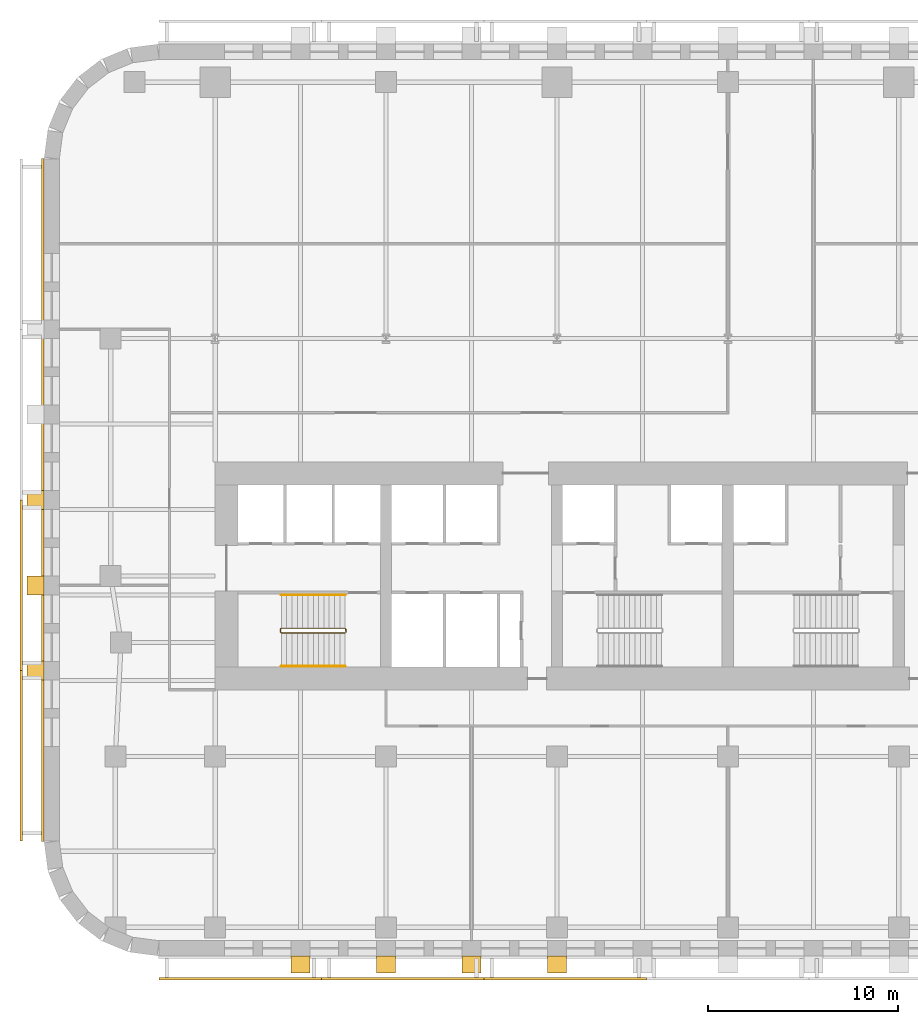
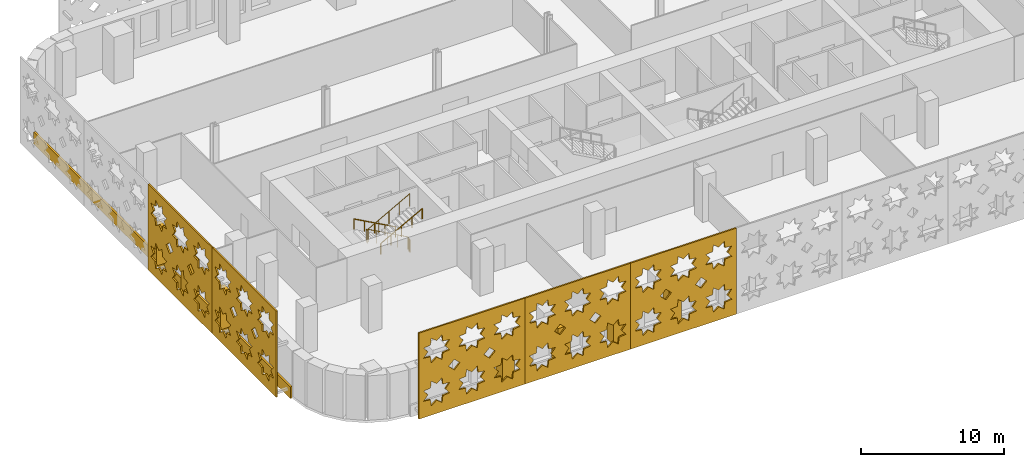
# One storey, part 11 of 15: 13 coverings, 3 railings.
"""IFC4 building model written with IfcOpenShell, lengths in metres."""

from ifc_helpers import new_model, si_unit, direction, frame, origin, origin_2d, place, context, subcontext, project, spatial, polyline, circle, outline, extrude, material, layer, layer_set, type_object, element, save


model = new_model("IFC4")

# Units and contexts
model_context = context("Model", 3, precision=1e-05, world=origin(), true_north=direction((0.0, 1.0)))
body_context = subcontext(model_context, "Body", "Model", "MODEL_VIEW")
ifc_project = project(units=[si_unit("LENGTHUNIT", "METRE"), si_unit("AREAUNIT", "SQUARE_METRE"), si_unit("VOLUMEUNIT", "CUBIC_METRE"), si_unit("PLANEANGLEUNIT", "RADIAN"), si_unit("MASSUNIT", "GRAM", prefix="KILO")], contexts=[model_context])

# Site, building, storey
site_placement = place(None, origin())
site = spatial("IfcSite", under=ifc_project, at=site_placement, CompositionType="ELEMENT")
building_placement = place(site_placement, origin())
building = spatial("IfcBuilding", under=site, at=building_placement, Name="Zellij Exchange Tower", CompositionType="ELEMENT")
storey_placement = place(building_placement, frame((0.0, 0.0, 84.5)))
storey = spatial("IfcBuildingStorey", under=building, at=storey_placement, Name="L17", CompositionType="ELEMENT", Elevation=84.5)

# Railings
ifc_material_1 = material(Name="Stainless steel", Category="steel")
railing_type_1 = type_object("IfcRailingType", Name="CORE-RG stair guard", PredefinedType="GUARDRAIL", material=ifc_material_1)
railing_1_placement = place(storey_placement, frame((-20.10009765625, -10.800048828125, 0.0)))
element("IfcRailing", 1, at=railing_1_placement, inside=storey, type_object=railing_type_1, Name="ST1 stair guard L17", PredefinedType="GUARDRAIL", context=body_context, shape_type="SweptSolid", body=[
    extrude(circle(Radius=0.02392578125, at=origin_2d()), frame((0.0, 0.0, 1.076171875), z_axis=(0.0, -1.0, 0.0), x_axis=(1.0, 0.0, 0.0)), (0.0, 0.0, 1.0), 0.14990234375),
    extrude(circle(Radius=0.02392578125, at=origin_2d()), frame((0.0, -0.14990234375, 1.076171875), z_axis=(-0.193691321961, 0.777613689637, 0.598164376644), x_axis=(-0.970351222016, -0.241699205484, 0.0)), (0.0, 0.0, 1.0), 0.257080078125),
    extrude(circle(Radius=0.02392578125, at=origin_2d()), frame((-0.0498046875, 0.050048828125, 1.22998046875), z_axis=(-0.876421534553, 0.0, 0.481544695509), x_axis=(0.0, -1.0, 0.0)), (0.0, 0.0, 1.0), 3.833984375),
    extrude(circle(Radius=0.02392578125, at=origin_2d()), frame((-3.409912109375, 0.050048828125, 3.076171875), z_axis=(-0.707106781187, -0.707106781187, 0.0), x_axis=(0.707106781187, -0.707106781187, 0.0)), (0.0, 0.0, 1.0), 0.07080078125),
    extrude(circle(Radius=0.02392578125, at=origin_2d()), frame((-3.4599609375, 0.0, 3.076171875), z_axis=(0.0, -1.0, 0.0), x_axis=(1.0, 0.0, 0.0)), (0.0, 0.0, 1.0), 0.14990234375),
    extrude(circle(Radius=0.02392578125, at=origin_2d()), frame((-3.4599609375, -0.14990234375, 3.076171875), z_axis=(0.295599637079, -0.295599637079, 0.908428152975), x_axis=(0.707106781187, 0.707106781187, 0.0)), (0.0, 0.0, 1.0), 0.16943359375),
    extrude(circle(Radius=0.02392578125, at=origin_2d()), frame((-3.409912109375, -0.199951171875, 3.22998046875), z_axis=(0.876421534553, 0.0, 0.481544695509), x_axis=(0.0, 1.0, 0.0)), (0.0, 0.0, 1.0), 3.833984375),
    extrude(circle(Radius=0.02099609375, at=origin_2d()), origin(), (0.0, 0.0, 1.0), 1.052001953125),
    extrude(circle(Radius=0.02099609375, at=origin_2d()), frame((0.0, -0.14990234375, 0.0)), (0.0, 0.0, 1.0), 1.052001953125),
    extrude(circle(Radius=0.02099609375, at=origin_2d()), frame((-0.0498046875, 0.050048828125, 0.15380859375)), (0.0, 0.0, 1.0), 1.052001953125),
    extrude(circle(Radius=0.02099609375, at=origin_2d()), frame((-0.889892578125, 0.050048828125, 0.615234375)), (0.0, 0.0, 1.0), 1.052001953125),
    extrude(circle(Radius=0.02099609375, at=origin_2d()), frame((-1.72998046875, 0.050048828125, 1.076904296875)), (0.0, 0.0, 1.0), 1.052001953125),
    extrude(circle(Radius=0.02099609375, at=origin_2d()), frame((-2.56982421875, 0.050048828125, 1.53857421875)), (0.0, 0.0, 1.0), 1.052001953125),
    extrude(circle(Radius=0.02099609375, at=origin_2d()), frame((-3.409912109375, 0.050048828125, 2.0)), (0.0, 0.0, 1.0), 1.052001953125),
    extrude(circle(Radius=0.02099609375, at=origin_2d()), frame((-3.4599609375, 0.0, 2.0)), (0.0, 0.0, 1.0), 1.052001953125),
    extrude(circle(Radius=0.02099609375, at=origin_2d()), frame((-3.4599609375, -0.14990234375, 2.0)), (0.0, 0.0, 1.0), 1.052001953125),
    extrude(circle(Radius=0.02099609375, at=origin_2d()), frame((-3.409912109375, -0.199951171875, 2.15380859375)), (0.0, 0.0, 1.0), 1.052001953125),
    extrude(circle(Radius=0.02099609375, at=origin_2d()), frame((-2.56982421875, -0.199951171875, 2.615234375)), (0.0, 0.0, 1.0), 1.052001953125),
    extrude(circle(Radius=0.02099609375, at=origin_2d()), frame((-1.72998046875, -0.199951171875, 3.076904296875)), (0.0, 0.0, 1.0), 1.052001953125),
    extrude(circle(Radius=0.02099609375, at=origin_2d()), frame((-0.889892578125, -0.199951171875, 3.53857421875)), (0.0, 0.0, 1.0), 1.052001953125),
    extrude(circle(Radius=0.02099609375, at=origin_2d()), frame((-0.0498046875, -0.199951171875, 4.0)), (0.0, 0.0, 1.0), 1.052001953125),
])
railing_type_2 = type_object("IfcRailingType", Name="CORE-RH stair handrail", PredefinedType="HANDRAIL", material=ifc_material_1)
railing_2_placement = place(storey_placement, frame((-20.14990234375, -9.0, 0.15380859375)))
element("IfcRailing", 2, at=railing_2_placement, inside=storey, type_object=railing_type_2, Name="ST1 stair handrail L17", PredefinedType="HANDRAIL", context=body_context, shape_type="SweptSolid", body=[
    extrude(circle(Radius=0.02392578125, at=origin_2d()), frame((0.0, 0.0, 0.8759765625), z_axis=(-0.876421534553, 0.0, 0.481544695509), x_axis=(0.0, -1.0, 0.0)), (0.0, 0.0, 1.0), 3.833984375),
    extrude(circle(Radius=0.02099609375, at=origin_2d()), origin(), (0.0, 0.0, 1.0), 0.851806640625),
    extrude(circle(Radius=0.02099609375, at=origin_2d()), frame((-0.840087890625, 0.0, 0.46142578125)), (0.0, 0.0, 1.0), 0.851806640625),
    extrude(circle(Radius=0.02099609375, at=origin_2d()), frame((-1.68017578125, 0.0, 0.923095703125)), (0.0, 0.0, 1.0), 0.851806640625),
    extrude(circle(Radius=0.02099609375, at=origin_2d()), frame((-2.52001953125, 0.0, 1.384765625)), (0.0, 0.0, 1.0), 0.851806640625),
    extrude(circle(Radius=0.02099609375, at=origin_2d()), frame((-3.360107421875, 0.0, 1.84619140625)), (0.0, 0.0, 1.0), 0.851806640625),
])
railing_3_placement = place(storey_placement, frame((-23.510009765625, -12.75, 2.15380859375)))
element("IfcRailing", 3, at=railing_3_placement, inside=storey, type_object=railing_type_2, Name="ST1 stair handrail L17", PredefinedType="HANDRAIL", context=body_context, shape_type="SweptSolid", body=[
    extrude(circle(Radius=0.02392578125, at=origin_2d()), frame((0.0, 0.0, 0.8759765625), z_axis=(0.876421534553, 0.0, 0.481544695509), x_axis=(0.0, 1.0, 0.0)), (0.0, 0.0, 1.0), 3.833984375),
    extrude(circle(Radius=0.02099609375, at=origin_2d()), origin(), (0.0, 0.0, 1.0), 0.851806640625),
    extrude(circle(Radius=0.02099609375, at=origin_2d()), frame((0.840087890625, 0.0, 0.46142578125)), (0.0, 0.0, 1.0), 0.851806640625),
    extrude(circle(Radius=0.02099609375, at=origin_2d()), frame((1.68017578125, 0.0, 0.923095703125)), (0.0, 0.0, 1.0), 0.851806640625),
    extrude(circle(Radius=0.02099609375, at=origin_2d()), frame((2.52001953125, 0.0, 1.384765625)), (0.0, 0.0, 1.0), 0.851806640625),
    extrude(circle(Radius=0.02099609375, at=origin_2d()), frame((3.360107421875, 0.0, 1.84619140625)), (0.0, 0.0, 1.0), 0.851806640625),
])

# Coverings
ifc_material_2 = material(Name="Limestone cladding", Category="masonry")
ifc_layer_1 = layer(ifc_material_2, 0.14990234375)
ifc_layer_set_1 = layer_set([ifc_layer_1], Name="Limestone cladding")
covering_type_1 = type_object("IfcCoveringType", Name="ENV-CV1 Stone spandrel band 150", PredefinedType="CLADDING", material=ifc_layer_set_1)
covering_1_placement = place(storey_placement, frame((0.0, 0.0, -0.199951171875)))
element("IfcCovering", 4, at=covering_1_placement, inside=storey, type_object=covering_type_1, Name="Stone spandrel band", PredefinedType="CLADDING", context=body_context, shape_type="SweptSolid", body=[
    extrude(outline(polyline([(-36.0, 13.973876953125), (-36.0, -21.973876953125), (-36.14990234375, -21.983642578125), (-36.14990234375, 13.983642578125), (-36.0, 13.973876953125)])), origin(), (0.0, 0.0, 1.0), 1.0),
])
covering_type_2 = type_object("IfcCoveringType", Name="ENV-CV2 Stone pier 1000x900", PredefinedType="CLADDING", material=ifc_material_2)
covering_2_placement = place(storey_placement, frame((0.0, 0.0, 0.800048828125)))
element("IfcCovering", 5, at=covering_2_placement, inside=storey, type_object=covering_type_2, Name="Stone pier", PredefinedType="CLADDING", context=body_context, shape_type="SweptSolid", body=[
    extrude(outline(polyline([(-23.0, -28.0), (-22.0, -28.0), (-22.0, -28.89990234375), (-23.0, -28.89990234375), (-23.0, -28.0)])), origin(), (0.0, 0.0, 1.0), 3.0),
])
covering_3_placement = place(storey_placement, frame((0.0, 0.0, 0.800048828125)))
element("IfcCovering", 6, at=covering_3_placement, inside=storey, type_object=covering_type_2, Name="Stone pier", PredefinedType="CLADDING", context=body_context, shape_type="SweptSolid", body=[
    extrude(outline(polyline([(-18.5, -28.0), (-17.5, -28.0), (-17.5, -28.89990234375), (-18.5, -28.89990234375), (-18.5, -28.0)])), origin(), (0.0, 0.0, 1.0), 3.0),
])
covering_4_placement = place(storey_placement, frame((0.0, 0.0, 0.800048828125)))
element("IfcCovering", 7, at=covering_4_placement, inside=storey, type_object=covering_type_2, Name="Stone pier", PredefinedType="CLADDING", context=body_context, shape_type="SweptSolid", body=[
    extrude(outline(polyline([(-14.0, -28.0), (-13.0, -28.0), (-13.0, -28.89990234375), (-14.0, -28.89990234375), (-14.0, -28.0)])), origin(), (0.0, 0.0, 1.0), 3.0),
])
covering_5_placement = place(storey_placement, frame((0.0, 0.0, 0.800048828125)))
element("IfcCovering", 8, at=covering_5_placement, inside=storey, type_object=covering_type_2, Name="Stone pier", PredefinedType="CLADDING", context=body_context, shape_type="SweptSolid", body=[
    extrude(outline(polyline([(-9.5, -28.0), (-8.5, -28.0), (-8.5, -28.89990234375), (-9.5, -28.89990234375), (-9.5, -28.0)])), origin(), (0.0, 0.0, 1.0), 3.0),
])
covering_6_placement = place(storey_placement, frame((0.0, 0.0, 0.800048828125)))
element("IfcCovering", 9, at=covering_6_placement, inside=storey, type_object=covering_type_2, Name="Stone pier", PredefinedType="CLADDING", context=body_context, shape_type="SweptSolid", body=[
    extrude(outline(polyline([(-36.0, -3.5), (-36.0, -4.5), (-36.89990234375, -4.5), (-36.89990234375, -3.5), (-36.0, -3.5)])), origin(), (0.0, 0.0, 1.0), 3.0),
])
covering_7_placement = place(storey_placement, frame((0.0, 0.0, 0.800048828125)))
element("IfcCovering", 10, at=covering_7_placement, inside=storey, type_object=covering_type_2, Name="Stone pier", PredefinedType="CLADDING", context=body_context, shape_type="SweptSolid", body=[
    extrude(outline(polyline([(-36.0, -7.993408203125), (-36.0, -8.993408203125), (-36.89990234375, -8.993408203125), (-36.89990234375, -7.993408203125), (-36.0, -7.993408203125)])), origin(), (0.0, 0.0, 1.0), 3.0),
])
covering_8_placement = place(storey_placement, frame((0.0, 0.0, 0.800048828125)))
element("IfcCovering", 11, at=covering_8_placement, inside=storey, type_object=covering_type_2, Name="Stone pier", PredefinedType="CLADDING", context=body_context, shape_type="SweptSolid", body=[
    extrude(outline(polyline([(-36.0, -12.48681640625), (-36.0, -13.48681640625), (-36.89990234375, -13.48681640625), (-36.89990234375, -12.48681640625), (-36.0, -12.48681640625)])), origin(), (0.0, 0.0, 1.0), 3.0),
])
ifc_material_3 = material(Name="Limestone screen", Category="masonry")
ifc_layer_2 = layer(ifc_material_3, 0.1201171875)
ifc_layer_set_2 = layer_set([ifc_layer_2], Name="Limestone screen")
covering_type_3 = type_object("IfcCoveringType", Name="ENV-SC1 Pierced stone screen 120", PredefinedType="USERDEFINED", material=ifc_layer_set_2)
covering_9_placement = place(storey_placement, frame((-37.2099609375, -4.0, 0.300048828125), z_axis=(0.0, 0.0, 1.0), x_axis=(0.0, -1.0, 0.0)))
element("IfcCovering", 12, at=covering_9_placement, inside=storey, type_object=covering_type_3, Name="Pierced stone screen", ObjectType="SCREEN", PredefinedType="USERDEFINED", context=body_context, shape_type="SweptSolid", body=[
    extrude(outline(polyline([(0.0, 0.0), (8.973876953125, 0.0), (8.973876953125, 7.35009765625), (0.0, 7.35009765625), (0.0, 0.0)]), holes=[polyline([(2.60107421875, 2.29541015625), (2.020263671875, 2.362060546875), (1.95361328125, 2.94287109375), (1.49560546875, 2.579345703125), (1.03759765625, 2.94287109375), (0.97119140625, 2.362060546875), (0.39013671875, 2.29541015625), (0.75390625, 1.83740234375), (0.39013671875, 1.379638671875), (0.97119140625, 1.31298828125), (1.03759765625, 0.732177734375), (1.49560546875, 1.095703125), (1.95361328125, 0.732177734375), (2.020263671875, 1.31298828125), (2.60107421875, 1.379638671875), (2.237548828125, 1.83740234375), (2.60107421875, 2.29541015625)]), polyline([(2.60107421875, 5.970458984375), (2.020263671875, 6.037109375), (1.95361328125, 6.617919921875), (1.49560546875, 6.25439453125), (1.03759765625, 6.617919921875), (0.97119140625, 6.037109375), (0.39013671875, 5.970458984375), (0.75390625, 5.512451171875), (0.39013671875, 5.0546875), (0.97119140625, 4.98779296875), (1.03759765625, 4.406982421875), (1.49560546875, 4.770751953125), (1.95361328125, 4.406982421875), (2.020263671875, 4.98779296875), (2.60107421875, 5.0546875), (2.237548828125, 5.512451171875), (2.60107421875, 5.970458984375)]), polyline([(5.59228515625, 2.29541015625), (5.011474609375, 2.362060546875), (4.94482421875, 2.94287109375), (4.48681640625, 2.579345703125), (4.029052734375, 2.94287109375), (3.96240234375, 2.362060546875), (3.381591796875, 2.29541015625), (3.7451171875, 1.83740234375), (3.381591796875, 1.379638671875), (3.96240234375, 1.31298828125), (4.029052734375, 0.732177734375), (4.48681640625, 1.095703125), (4.94482421875, 0.732177734375), (5.011474609375, 1.31298828125), (5.59228515625, 1.379638671875), (5.228759765625, 1.83740234375), (5.59228515625, 2.29541015625)]), polyline([(5.59228515625, 5.970458984375), (5.011474609375, 6.037109375), (4.94482421875, 6.617919921875), (4.48681640625, 6.25439453125), (4.029052734375, 6.617919921875), (3.96240234375, 6.037109375), (3.381591796875, 5.970458984375), (3.7451171875, 5.512451171875), (3.381591796875, 5.0546875), (3.96240234375, 4.98779296875), (4.029052734375, 4.406982421875), (4.48681640625, 4.770751953125), (4.94482421875, 4.406982421875), (5.011474609375, 4.98779296875), (5.59228515625, 5.0546875), (5.228759765625, 5.512451171875), (5.59228515625, 5.970458984375)]), polyline([(8.58349609375, 2.29541015625), (8.002685546875, 2.362060546875), (7.93603515625, 2.94287109375), (7.478271484375, 2.579345703125), (7.020263671875, 2.94287109375), (6.95361328125, 2.362060546875), (6.372802734375, 2.29541015625), (6.736328125, 1.83740234375), (6.372802734375, 1.379638671875), (6.95361328125, 1.31298828125), (7.020263671875, 0.732177734375), (7.478271484375, 1.095703125), (7.93603515625, 0.732177734375), (8.002685546875, 1.31298828125), (8.58349609375, 1.379638671875), (8.219970703125, 1.83740234375), (8.58349609375, 2.29541015625)]), polyline([(8.58349609375, 5.970458984375), (8.002685546875, 6.037109375), (7.93603515625, 6.617919921875), (7.478271484375, 6.25439453125), (7.020263671875, 6.617919921875), (6.95361328125, 6.037109375), (6.372802734375, 5.970458984375), (6.736328125, 5.512451171875), (6.372802734375, 5.0546875), (6.95361328125, 4.98779296875), (7.020263671875, 4.406982421875), (7.478271484375, 4.770751953125), (7.93603515625, 4.406982421875), (8.002685546875, 4.98779296875), (8.58349609375, 5.0546875), (8.219970703125, 5.512451171875), (8.58349609375, 5.970458984375)]), polyline([(3.469970703125, 3.675048828125), (2.9912109375, 4.153564453125), (2.5126953125, 3.675048828125), (2.9912109375, 3.1962890625), (3.469970703125, 3.675048828125)]), polyline([(6.461181640625, 3.675048828125), (5.982421875, 4.153564453125), (5.50390625, 3.675048828125), (5.982421875, 3.1962890625), (6.461181640625, 3.675048828125)])]), frame((0.0, 0.06005859375, 0.0), z_axis=(0.0, -1.0, 0.0), x_axis=(1.0, 0.0, 0.0)), (0.0, 0.0, 1.0), 0.1201171875),
])
covering_10_placement = place(storey_placement, frame((-37.2099609375, -12.973876953125, 0.300048828125), z_axis=(0.0, 0.0, 1.0), x_axis=(0.0, -1.0, 0.0)))
element("IfcCovering", 13, at=covering_10_placement, inside=storey, type_object=covering_type_3, Name="Pierced stone screen", ObjectType="SCREEN", PredefinedType="USERDEFINED", context=body_context, shape_type="SweptSolid", body=[
    extrude(outline(polyline([(0.0, 0.0), (8.973876953125, 0.0), (8.973876953125, 7.35009765625), (0.0, 7.35009765625), (0.0, 0.0)]), holes=[polyline([(2.60107421875, 2.29541015625), (2.020263671875, 2.362060546875), (1.95361328125, 2.94287109375), (1.49560546875, 2.579345703125), (1.03759765625, 2.94287109375), (0.97119140625, 2.362060546875), (0.39013671875, 2.29541015625), (0.75390625, 1.83740234375), (0.39013671875, 1.379638671875), (0.97119140625, 1.31298828125), (1.03759765625, 0.732177734375), (1.49560546875, 1.095703125), (1.95361328125, 0.732177734375), (2.020263671875, 1.31298828125), (2.60107421875, 1.379638671875), (2.237548828125, 1.83740234375), (2.60107421875, 2.29541015625)]), polyline([(2.60107421875, 5.970458984375), (2.020263671875, 6.037109375), (1.95361328125, 6.617919921875), (1.49560546875, 6.25439453125), (1.03759765625, 6.617919921875), (0.97119140625, 6.037109375), (0.39013671875, 5.970458984375), (0.75390625, 5.512451171875), (0.39013671875, 5.0546875), (0.97119140625, 4.98779296875), (1.03759765625, 4.406982421875), (1.49560546875, 4.770751953125), (1.95361328125, 4.406982421875), (2.020263671875, 4.98779296875), (2.60107421875, 5.0546875), (2.237548828125, 5.512451171875), (2.60107421875, 5.970458984375)]), polyline([(5.59228515625, 2.29541015625), (5.011474609375, 2.362060546875), (4.94482421875, 2.94287109375), (4.48681640625, 2.579345703125), (4.029052734375, 2.94287109375), (3.96240234375, 2.362060546875), (3.381591796875, 2.29541015625), (3.7451171875, 1.83740234375), (3.381591796875, 1.379638671875), (3.96240234375, 1.31298828125), (4.029052734375, 0.732177734375), (4.48681640625, 1.095703125), (4.94482421875, 0.732177734375), (5.011474609375, 1.31298828125), (5.59228515625, 1.379638671875), (5.228759765625, 1.83740234375), (5.59228515625, 2.29541015625)]), polyline([(5.59228515625, 5.970458984375), (5.011474609375, 6.037109375), (4.94482421875, 6.617919921875), (4.48681640625, 6.25439453125), (4.029052734375, 6.617919921875), (3.96240234375, 6.037109375), (3.381591796875, 5.970458984375), (3.7451171875, 5.512451171875), (3.381591796875, 5.0546875), (3.96240234375, 4.98779296875), (4.029052734375, 4.406982421875), (4.48681640625, 4.770751953125), (4.94482421875, 4.406982421875), (5.011474609375, 4.98779296875), (5.59228515625, 5.0546875), (5.228759765625, 5.512451171875), (5.59228515625, 5.970458984375)]), polyline([(8.58349609375, 2.29541015625), (8.002685546875, 2.362060546875), (7.93603515625, 2.94287109375), (7.478271484375, 2.579345703125), (7.020263671875, 2.94287109375), (6.95361328125, 2.362060546875), (6.372802734375, 2.29541015625), (6.736328125, 1.83740234375), (6.372802734375, 1.379638671875), (6.95361328125, 1.31298828125), (7.020263671875, 0.732177734375), (7.478271484375, 1.095703125), (7.93603515625, 0.732177734375), (8.002685546875, 1.31298828125), (8.58349609375, 1.379638671875), (8.219970703125, 1.83740234375), (8.58349609375, 2.29541015625)]), polyline([(8.58349609375, 5.970458984375), (8.002685546875, 6.037109375), (7.93603515625, 6.617919921875), (7.478271484375, 6.25439453125), (7.020263671875, 6.617919921875), (6.95361328125, 6.037109375), (6.372802734375, 5.970458984375), (6.736328125, 5.512451171875), (6.372802734375, 5.0546875), (6.95361328125, 4.98779296875), (7.020263671875, 4.406982421875), (7.478271484375, 4.770751953125), (7.93603515625, 4.406982421875), (8.002685546875, 4.98779296875), (8.58349609375, 5.0546875), (8.219970703125, 5.512451171875), (8.58349609375, 5.970458984375)]), polyline([(3.469970703125, 3.675048828125), (2.9912109375, 4.153564453125), (2.5126953125, 3.675048828125), (2.9912109375, 3.1962890625), (3.469970703125, 3.675048828125)]), polyline([(6.461181640625, 3.675048828125), (5.982421875, 4.153564453125), (5.50390625, 3.675048828125), (5.982421875, 3.1962890625), (6.461181640625, 3.675048828125)])]), frame((0.0, 0.06005859375, 0.0), z_axis=(0.0, -1.0, 0.0), x_axis=(1.0, 0.0, 0.0)), (0.0, 0.0, 1.0), 0.1201171875),
])
covering_11_placement = place(storey_placement, frame((-29.947509765625, -29.2099609375, 0.300048828125), z_axis=(0.0, 0.0, 1.0), x_axis=(1.0, 0.0, 0.0)))
element("IfcCovering", 14, at=covering_11_placement, inside=storey, type_object=covering_type_3, Name="Pierced stone screen", ObjectType="SCREEN", PredefinedType="USERDEFINED", context=body_context, shape_type="SweptSolid", body=[
    extrude(outline(polyline([(0.0, 0.0), (8.556396484375, 0.0), (8.556396484375, 7.35009765625), (0.0, 7.35009765625), (0.0, 0.0)]), holes=[polyline([(2.47998046875, 2.274169921875), (1.92626953125, 2.337646484375), (1.86279296875, 2.8916015625), (1.426025390625, 2.544921875), (0.989501953125, 2.8916015625), (0.92578125, 2.337646484375), (0.3720703125, 2.274169921875), (0.71875, 1.83740234375), (0.3720703125, 1.40087890625), (0.92578125, 1.33740234375), (0.989501953125, 0.783447265625), (1.426025390625, 1.130126953125), (1.86279296875, 0.783447265625), (1.92626953125, 1.33740234375), (2.47998046875, 1.40087890625), (2.13330078125, 1.83740234375), (2.47998046875, 2.274169921875)]), polyline([(2.47998046875, 5.94921875), (1.92626953125, 6.0126953125), (1.86279296875, 6.56640625), (1.426025390625, 6.2197265625), (0.989501953125, 6.56640625), (0.92578125, 6.0126953125), (0.3720703125, 5.94921875), (0.71875, 5.512451171875), (0.3720703125, 5.075927734375), (0.92578125, 5.01220703125), (0.989501953125, 4.45849609375), (1.426025390625, 4.80517578125), (1.86279296875, 4.45849609375), (1.92626953125, 5.01220703125), (2.47998046875, 5.075927734375), (2.13330078125, 5.512451171875), (2.47998046875, 5.94921875)]), polyline([(5.332275390625, 2.274169921875), (4.7783203125, 2.337646484375), (4.71484375, 2.8916015625), (4.2783203125, 2.544921875), (3.841552734375, 2.8916015625), (3.778076171875, 2.337646484375), (3.22412109375, 2.274169921875), (3.57080078125, 1.83740234375), (3.22412109375, 1.40087890625), (3.778076171875, 1.33740234375), (3.841552734375, 0.783447265625), (4.2783203125, 1.130126953125), (4.71484375, 0.783447265625), (4.7783203125, 1.33740234375), (5.332275390625, 1.40087890625), (4.985595703125, 1.83740234375), (5.332275390625, 2.274169921875)]), polyline([(5.332275390625, 5.94921875), (4.7783203125, 6.0126953125), (4.71484375, 6.56640625), (4.2783203125, 6.2197265625), (3.841552734375, 6.56640625), (3.778076171875, 6.0126953125), (3.22412109375, 5.94921875), (3.57080078125, 5.512451171875), (3.22412109375, 5.075927734375), (3.778076171875, 5.01220703125), (3.841552734375, 4.45849609375), (4.2783203125, 4.80517578125), (4.71484375, 4.45849609375), (4.7783203125, 5.01220703125), (5.332275390625, 5.075927734375), (4.985595703125, 5.512451171875), (5.332275390625, 5.94921875)]), polyline([(8.184326171875, 2.274169921875), (7.630615234375, 2.337646484375), (7.56689453125, 2.8916015625), (7.13037109375, 2.544921875), (6.69384765625, 2.8916015625), (6.630126953125, 2.337646484375), (6.076416015625, 2.274169921875), (6.423095703125, 1.83740234375), (6.076416015625, 1.40087890625), (6.630126953125, 1.33740234375), (6.69384765625, 0.783447265625), (7.13037109375, 1.130126953125), (7.56689453125, 0.783447265625), (7.630615234375, 1.33740234375), (8.184326171875, 1.40087890625), (7.837646484375, 1.83740234375), (8.184326171875, 2.274169921875)]), polyline([(8.184326171875, 5.94921875), (7.630615234375, 6.0126953125), (7.56689453125, 6.56640625), (7.13037109375, 6.2197265625), (6.69384765625, 6.56640625), (6.630126953125, 6.0126953125), (6.076416015625, 5.94921875), (6.423095703125, 5.512451171875), (6.076416015625, 5.075927734375), (6.630126953125, 5.01220703125), (6.69384765625, 4.45849609375), (7.13037109375, 4.80517578125), (7.56689453125, 4.45849609375), (7.630615234375, 5.01220703125), (8.184326171875, 5.075927734375), (7.837646484375, 5.512451171875), (8.184326171875, 5.94921875)]), polyline([(3.30859375, 3.675048828125), (2.852294921875, 4.13134765625), (2.395751953125, 3.675048828125), (2.852294921875, 3.21875), (3.30859375, 3.675048828125)]), polyline([(6.16064453125, 3.675048828125), (5.704345703125, 4.13134765625), (5.248046875, 3.675048828125), (5.704345703125, 3.21875), (6.16064453125, 3.675048828125)])]), frame((0.0, 0.06005859375, 0.0), z_axis=(0.0, -1.0, 0.0), x_axis=(1.0, 0.0, 0.0)), (0.0, 0.0, 1.0), 0.1201171875),
])
covering_12_placement = place(storey_placement, frame((-21.39111328125, -29.2099609375, 0.300048828125), z_axis=(0.0, 0.0, 1.0), x_axis=(1.0, 0.0, 0.0)))
element("IfcCovering", 15, at=covering_12_placement, inside=storey, type_object=covering_type_3, Name="Pierced stone screen", ObjectType="SCREEN", PredefinedType="USERDEFINED", context=body_context, shape_type="SweptSolid", body=[
    extrude(outline(polyline([(0.0, 0.0), (8.556396484375, 0.0), (8.556396484375, 7.35009765625), (0.0, 7.35009765625), (0.0, 0.0)]), holes=[polyline([(2.47998046875, 2.274169921875), (1.92626953125, 2.337646484375), (1.86279296875, 2.8916015625), (1.426025390625, 2.544921875), (0.989501953125, 2.8916015625), (0.92578125, 2.337646484375), (0.3720703125, 2.274169921875), (0.71875, 1.83740234375), (0.3720703125, 1.40087890625), (0.92578125, 1.33740234375), (0.989501953125, 0.783447265625), (1.426025390625, 1.130126953125), (1.86279296875, 0.783447265625), (1.92626953125, 1.33740234375), (2.47998046875, 1.40087890625), (2.13330078125, 1.83740234375), (2.47998046875, 2.274169921875)]), polyline([(2.47998046875, 5.94921875), (1.92626953125, 6.0126953125), (1.86279296875, 6.56640625), (1.426025390625, 6.2197265625), (0.989501953125, 6.56640625), (0.92578125, 6.0126953125), (0.3720703125, 5.94921875), (0.71875, 5.512451171875), (0.3720703125, 5.075927734375), (0.92578125, 5.01220703125), (0.989501953125, 4.45849609375), (1.426025390625, 4.80517578125), (1.86279296875, 4.45849609375), (1.92626953125, 5.01220703125), (2.47998046875, 5.075927734375), (2.13330078125, 5.512451171875), (2.47998046875, 5.94921875)]), polyline([(5.332275390625, 2.274169921875), (4.7783203125, 2.337646484375), (4.71484375, 2.8916015625), (4.2783203125, 2.544921875), (3.841552734375, 2.8916015625), (3.778076171875, 2.337646484375), (3.22412109375, 2.274169921875), (3.57080078125, 1.83740234375), (3.22412109375, 1.40087890625), (3.778076171875, 1.33740234375), (3.841552734375, 0.783447265625), (4.2783203125, 1.130126953125), (4.71484375, 0.783447265625), (4.7783203125, 1.33740234375), (5.332275390625, 1.40087890625), (4.985595703125, 1.83740234375), (5.332275390625, 2.274169921875)]), polyline([(5.332275390625, 5.94921875), (4.7783203125, 6.0126953125), (4.71484375, 6.56640625), (4.2783203125, 6.2197265625), (3.841552734375, 6.56640625), (3.778076171875, 6.0126953125), (3.22412109375, 5.94921875), (3.57080078125, 5.512451171875), (3.22412109375, 5.075927734375), (3.778076171875, 5.01220703125), (3.841552734375, 4.45849609375), (4.2783203125, 4.80517578125), (4.71484375, 4.45849609375), (4.7783203125, 5.01220703125), (5.332275390625, 5.075927734375), (4.985595703125, 5.512451171875), (5.332275390625, 5.94921875)]), polyline([(8.184326171875, 2.274169921875), (7.630615234375, 2.337646484375), (7.56689453125, 2.8916015625), (7.13037109375, 2.544921875), (6.69384765625, 2.8916015625), (6.630126953125, 2.337646484375), (6.076416015625, 2.274169921875), (6.423095703125, 1.83740234375), (6.076416015625, 1.40087890625), (6.630126953125, 1.33740234375), (6.69384765625, 0.783447265625), (7.13037109375, 1.130126953125), (7.56689453125, 0.783447265625), (7.630615234375, 1.33740234375), (8.184326171875, 1.40087890625), (7.837646484375, 1.83740234375), (8.184326171875, 2.274169921875)]), polyline([(8.184326171875, 5.94921875), (7.630615234375, 6.0126953125), (7.56689453125, 6.56640625), (7.13037109375, 6.2197265625), (6.69384765625, 6.56640625), (6.630126953125, 6.0126953125), (6.076416015625, 5.94921875), (6.423095703125, 5.512451171875), (6.076416015625, 5.075927734375), (6.630126953125, 5.01220703125), (6.69384765625, 4.45849609375), (7.13037109375, 4.80517578125), (7.56689453125, 4.45849609375), (7.630615234375, 5.01220703125), (8.184326171875, 5.075927734375), (7.837646484375, 5.512451171875), (8.184326171875, 5.94921875)]), polyline([(3.30859375, 3.675048828125), (2.852294921875, 4.13134765625), (2.395751953125, 3.675048828125), (2.852294921875, 3.21875), (3.30859375, 3.675048828125)]), polyline([(6.16064453125, 3.675048828125), (5.704345703125, 4.13134765625), (5.248046875, 3.675048828125), (5.704345703125, 3.21875), (6.16064453125, 3.675048828125)])]), frame((0.0, 0.06005859375, 0.0), z_axis=(0.0, -1.0, 0.0), x_axis=(1.0, 0.0, 0.0)), (0.0, 0.0, 1.0), 0.1201171875),
])
covering_13_placement = place(storey_placement, frame((-12.834716796875, -29.2099609375, 0.300048828125), z_axis=(0.0, 0.0, 1.0), x_axis=(1.0, 0.0, 0.0)))
element("IfcCovering", 16, at=covering_13_placement, inside=storey, type_object=covering_type_3, Name="Pierced stone screen", ObjectType="SCREEN", PredefinedType="USERDEFINED", context=body_context, shape_type="SweptSolid", body=[
    extrude(outline(polyline([(0.0, 0.0), (8.556396484375, 0.0), (8.556396484375, 7.35009765625), (0.0, 7.35009765625), (0.0, 0.0)]), holes=[polyline([(2.47998046875, 2.274169921875), (1.92626953125, 2.337646484375), (1.86279296875, 2.8916015625), (1.426025390625, 2.544921875), (0.989501953125, 2.8916015625), (0.92578125, 2.337646484375), (0.3720703125, 2.274169921875), (0.71875, 1.83740234375), (0.3720703125, 1.40087890625), (0.92578125, 1.33740234375), (0.989501953125, 0.783447265625), (1.426025390625, 1.130126953125), (1.86279296875, 0.783447265625), (1.92626953125, 1.33740234375), (2.47998046875, 1.40087890625), (2.13330078125, 1.83740234375), (2.47998046875, 2.274169921875)]), polyline([(2.47998046875, 5.94921875), (1.92626953125, 6.0126953125), (1.86279296875, 6.56640625), (1.426025390625, 6.2197265625), (0.989501953125, 6.56640625), (0.92578125, 6.0126953125), (0.3720703125, 5.94921875), (0.71875, 5.512451171875), (0.3720703125, 5.075927734375), (0.92578125, 5.01220703125), (0.989501953125, 4.45849609375), (1.426025390625, 4.80517578125), (1.86279296875, 4.45849609375), (1.92626953125, 5.01220703125), (2.47998046875, 5.075927734375), (2.13330078125, 5.512451171875), (2.47998046875, 5.94921875)]), polyline([(5.332275390625, 2.274169921875), (4.7783203125, 2.337646484375), (4.71484375, 2.8916015625), (4.2783203125, 2.544921875), (3.841552734375, 2.8916015625), (3.778076171875, 2.337646484375), (3.22412109375, 2.274169921875), (3.57080078125, 1.83740234375), (3.22412109375, 1.40087890625), (3.778076171875, 1.33740234375), (3.841552734375, 0.783447265625), (4.2783203125, 1.130126953125), (4.71484375, 0.783447265625), (4.7783203125, 1.33740234375), (5.332275390625, 1.40087890625), (4.985595703125, 1.83740234375), (5.332275390625, 2.274169921875)]), polyline([(5.332275390625, 5.94921875), (4.7783203125, 6.0126953125), (4.71484375, 6.56640625), (4.2783203125, 6.2197265625), (3.841552734375, 6.56640625), (3.778076171875, 6.0126953125), (3.22412109375, 5.94921875), (3.57080078125, 5.512451171875), (3.22412109375, 5.075927734375), (3.778076171875, 5.01220703125), (3.841552734375, 4.45849609375), (4.2783203125, 4.80517578125), (4.71484375, 4.45849609375), (4.7783203125, 5.01220703125), (5.332275390625, 5.075927734375), (4.985595703125, 5.512451171875), (5.332275390625, 5.94921875)]), polyline([(8.184326171875, 2.274169921875), (7.630615234375, 2.337646484375), (7.56689453125, 2.8916015625), (7.13037109375, 2.544921875), (6.69384765625, 2.8916015625), (6.630126953125, 2.337646484375), (6.076416015625, 2.274169921875), (6.423095703125, 1.83740234375), (6.076416015625, 1.40087890625), (6.630126953125, 1.33740234375), (6.69384765625, 0.783447265625), (7.13037109375, 1.130126953125), (7.56689453125, 0.783447265625), (7.630615234375, 1.33740234375), (8.184326171875, 1.40087890625), (7.837646484375, 1.83740234375), (8.184326171875, 2.274169921875)]), polyline([(8.184326171875, 5.94921875), (7.630615234375, 6.0126953125), (7.56689453125, 6.56640625), (7.13037109375, 6.2197265625), (6.69384765625, 6.56640625), (6.630126953125, 6.0126953125), (6.076416015625, 5.94921875), (6.423095703125, 5.512451171875), (6.076416015625, 5.075927734375), (6.630126953125, 5.01220703125), (6.69384765625, 4.45849609375), (7.13037109375, 4.80517578125), (7.56689453125, 4.45849609375), (7.630615234375, 5.01220703125), (8.184326171875, 5.075927734375), (7.837646484375, 5.512451171875), (8.184326171875, 5.94921875)]), polyline([(3.30859375, 3.675048828125), (2.852294921875, 4.13134765625), (2.395751953125, 3.675048828125), (2.852294921875, 3.21875), (3.30859375, 3.675048828125)]), polyline([(6.16064453125, 3.675048828125), (5.704345703125, 4.13134765625), (5.248046875, 3.675048828125), (5.704345703125, 3.21875), (6.16064453125, 3.675048828125)])]), frame((0.0, 0.06005859375, 0.0), z_axis=(0.0, -1.0, 0.0), x_axis=(1.0, 0.0, 0.0)), (0.0, 0.0, 1.0), 0.1201171875),
])

save(model, "model.ifc")
